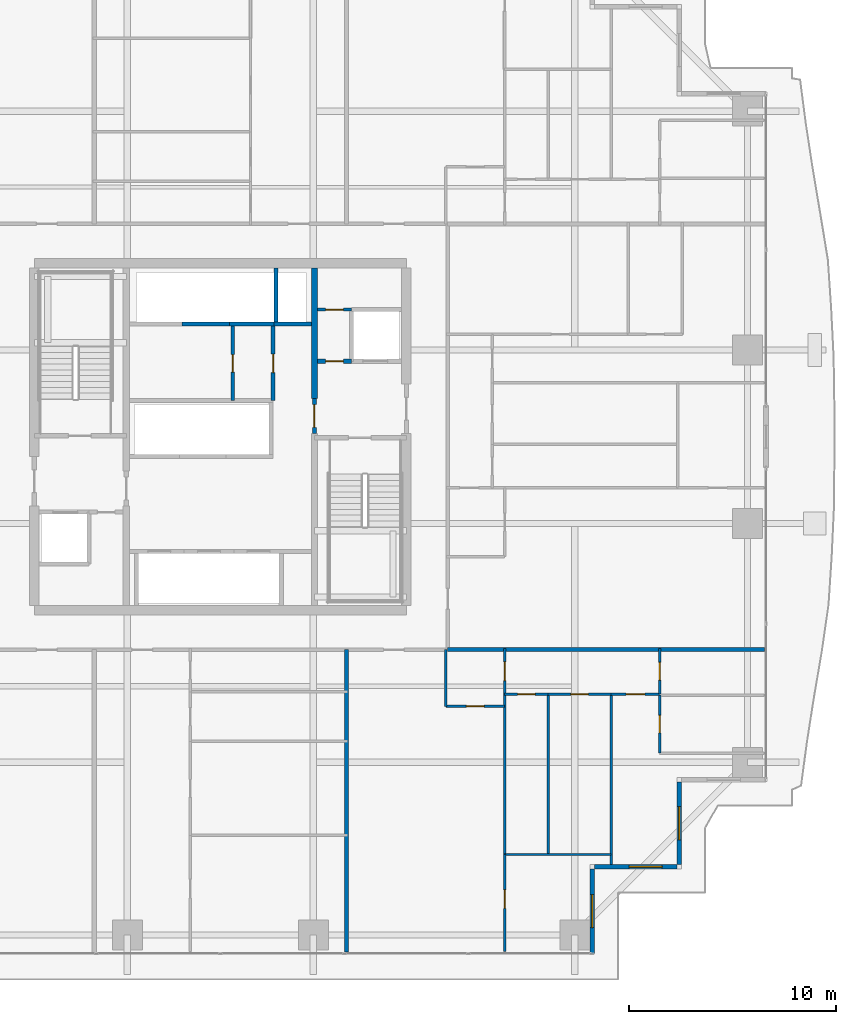
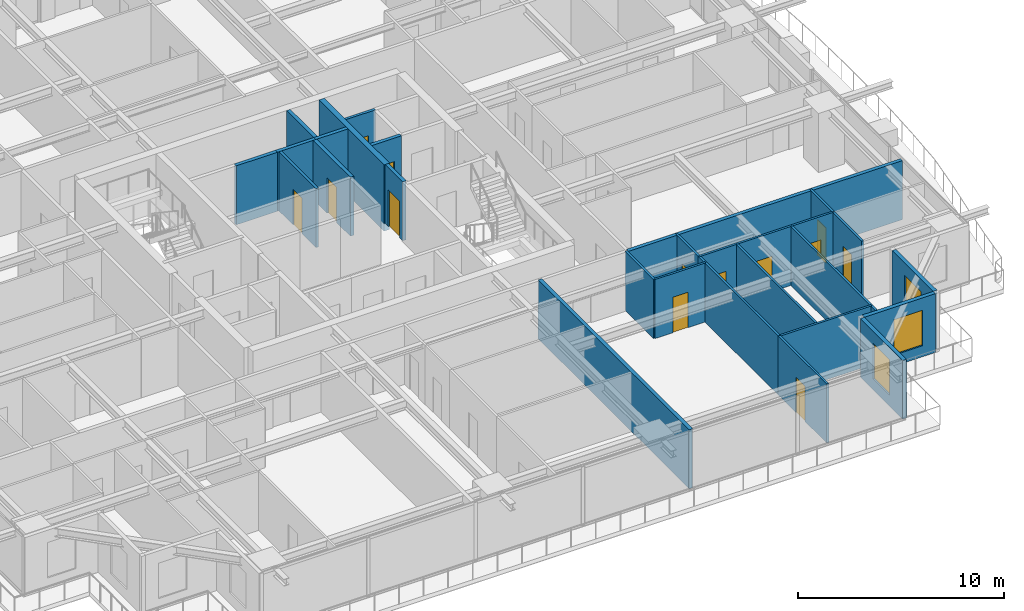
# One storey, part 28 of 37: 28 walls, 13 doors, 3 windows, 16 openings.
"""IFC4 building model written with IfcOpenShell, lengths in metres."""

from ifc_helpers import new_model, si_unit, direction, frame, frame_2d, origin, place, context, subcontext, project, spatial, rectangle, extrude, source, transform, mapped, material, layer, layer_set, type_object, element, fill, save


model = new_model("IFC4")

# Units and contexts
model_context = context("Model", 3, precision=1e-05, world=origin(), true_north=direction((0.0, 1.0)))
body_context = subcontext(model_context, "Body", "Model", "MODEL_VIEW")
ifc_project = project(units=[si_unit("LENGTHUNIT", "METRE"), si_unit("AREAUNIT", "SQUARE_METRE"), si_unit("VOLUMEUNIT", "CUBIC_METRE"), si_unit("PLANEANGLEUNIT", "RADIAN"), si_unit("MASSUNIT", "GRAM", prefix="KILO")], contexts=[model_context])

# Site, building, storey
site_placement = place(None, origin())
site = spatial("IfcSite", under=ifc_project, at=site_placement, CompositionType="ELEMENT")
building_placement = place(site_placement, origin())
building = spatial("IfcBuilding", under=site, at=building_placement, Name="Serunith Strait Residences", CompositionType="ELEMENT")
storey_placement = place(building_placement, frame((0.0, 0.0, 26.699951171875)))
storey = spatial("IfcBuildingStorey", under=building, at=storey_placement, Name="L05", CompositionType="ELEMENT", Elevation=26.699951171875)

# Wall, opening, window
ifc_material_1 = material(Name="Pale-Champagne Aluminium Insulated Panel", Category="aluminium")
ifc_layer_1 = layer(ifc_material_1, 0.219970703125, Name="Pale-Champagne Aluminium Insulated Panel")
ifc_layer_set_1 = layer_set([ifc_layer_1], Name="Pale-Champagne Aluminium Insulated Panel")
wall_type_1 = type_object("IfcWallType", Name="EW-ALUM-220", PredefinedType="ELEMENTEDWALL", material=ifc_layer_set_1)
wall_1_placement = place(storey_placement, frame((50.39990234375, 0.199951171875, 0.0), z_axis=(0.0, 0.0, 1.0), x_axis=(0.0, 1.0, 0.0)))
wall_1 = element("IfcWall", 1, at=wall_1_placement, inside=storey, type_object=wall_type_1, Name="L05 Girih Serrated Corner Wall 02", PredefinedType="ELEMENTEDWALL", context=body_context, shape_type="SweptSolid", body=[
    extrude(rectangle(XDim=4.090087890625, YDim=0.219970703125, at=frame_2d((2.044921875, 0.0))), origin(), (0.0, 0.0, 1.0), 3.47509765625),
])
opening_1_placement = place(wall_1_placement, frame((1.2451171875, 0.0, 0.64990234375)))
opening_1 = element("IfcOpeningElement", 2, at=opening_1_placement, cuts=wall_1, Name="Opening W-02", PredefinedType="OPENING", context=body_context, shape_type="SweptSolid", body=[
    extrude(rectangle(XDim=1.60009765625, YDim=2.10009765625, at=frame_2d((0.800048828125, 1.050048828125))), frame((0.0, 0.1201171875, 0.0), z_axis=(0.0, -1.0, 0.0), x_axis=(1.0, 0.0, 0.0)), (0.0, 0.0, 1.0), 0.239990234375),
])
ifc_material_2 = material(Name="Ceramic-Fritted Operable Aluminium Window Glass", Category="aluminium")
window_type = type_object("IfcWindowType", Name="WIN-C2", PartitioningType="DOUBLE_PANEL_VERTICAL", PredefinedType="WINDOW", material=ifc_material_2)
shared_shape_1 = source(origin(), body_context, "Body", "SweptSolid", [
    extrude(rectangle(XDim=1.60009765625, YDim=2.10009765625, at=frame_2d((0.800048828125, 1.050048828125))), frame((0.0, 0.030029296875, 0.0), z_axis=(0.0, -1.0, 0.0), x_axis=(1.0, 0.0, 0.0)), (0.0, 0.0, 1.0), 0.06005859375),
])
window_1_placement = place(opening_1_placement, origin())
window_1 = element("IfcWindow", 3, at=window_1_placement, inside=storey, type_object=window_type, Name="L05 Corner Operable Fritted Window 02", OverallHeight=2.10009765625, OverallWidth=1.60009765625, PartitioningType="SINGLE_PANEL", PredefinedType="WINDOW", context=body_context, shape_type="MappedRepresentation", body=[
    mapped(shared_shape_1, transform((0.0, 0.0, 0.0), scale=1.0)),
])
fill(opening_1, window_1)

wall_2_placement = place(storey_placement, frame((50.510009765625, 4.39990234375, 0.0), z_axis=(0.0, 0.0, 1.0), x_axis=(1.0, 0.0, 0.0)))
wall_2 = element("IfcWall", 4, at=wall_2_placement, inside=storey, type_object=wall_type_1, Name="L05 Girih Serrated Corner Wall 03", PredefinedType="ELEMENTEDWALL", context=body_context, shape_type="SweptSolid", body=[
    extrude(rectangle(XDim=3.97998046875, YDim=0.219970703125, at=frame_2d((1.989990234375, 0.0))), origin(), (0.0, 0.0, 1.0), 3.47509765625),
])
opening_2_placement = place(wall_2_placement, frame((1.666015625, 0.0, 0.64990234375)))
opening_2 = element("IfcOpeningElement", 5, at=opening_2_placement, cuts=wall_2, Name="Opening W-02", PredefinedType="OPENING", context=body_context, shape_type="SweptSolid", body=[
    extrude(rectangle(XDim=1.60009765625, YDim=2.10009765625, at=frame_2d((0.800048828125, 1.050048828125))), frame((0.0, 0.1201171875, 0.0), z_axis=(0.0, -1.0, 0.0), x_axis=(1.0, 0.0, 0.0)), (0.0, 0.0, 1.0), 0.239990234375),
])
window_2_placement = place(opening_2_placement, origin())
window_2 = element("IfcWindow", 6, at=window_2_placement, inside=storey, type_object=window_type, Name="L05 Corner Operable Fritted Window 03", OverallHeight=2.10009765625, OverallWidth=1.60009765625, PartitioningType="SINGLE_PANEL", PredefinedType="WINDOW", context=body_context, shape_type="MappedRepresentation", body=[
    mapped(shared_shape_1, transform((0.0, 0.0, 0.0), scale=1.0)),
])
fill(opening_2, window_2)

wall_3_placement = place(storey_placement, frame((54.60009765625, 4.510009765625, 0.0), z_axis=(0.0, 0.0, 1.0), x_axis=(0.0, 1.0, 0.0)))
wall_3 = element("IfcWall", 7, at=wall_3_placement, inside=storey, type_object=wall_type_1, Name="L05 Girih Serrated Corner Wall 04", PredefinedType="ELEMENTEDWALL", context=body_context, shape_type="SweptSolid", body=[
    extrude(rectangle(XDim=3.97998046875, YDim=0.219970703125, at=frame_2d((1.989990234375, 0.0))), origin(), (0.0, 0.0, 1.0), 3.47509765625),
])
opening_3_placement = place(wall_3_placement, frame((1.18994140625, 0.0, 0.64990234375)))
opening_3 = element("IfcOpeningElement", 8, at=opening_3_placement, cuts=wall_3, Name="Opening W-02", PredefinedType="OPENING", context=body_context, shape_type="SweptSolid", body=[
    extrude(rectangle(XDim=1.60009765625, YDim=2.10009765625, at=frame_2d((0.800048828125, 1.050048828125))), frame((0.0, 0.1201171875, 0.0), z_axis=(0.0, -1.0, 0.0), x_axis=(1.0, 0.0, 0.0)), (0.0, 0.0, 1.0), 0.239990234375),
])
window_3_placement = place(opening_3_placement, origin())
window_3 = element("IfcWindow", 9, at=window_3_placement, inside=storey, type_object=window_type, Name="L05 Corner Operable Fritted Window 04", OverallHeight=2.10009765625, OverallWidth=1.60009765625, PartitioningType="SINGLE_PANEL", PredefinedType="WINDOW", context=body_context, shape_type="MappedRepresentation", body=[
    mapped(shared_shape_1, transform((0.0, 0.0, 0.0), scale=1.0)),
])
fill(opening_3, window_3)

# Wall, opening, door
ifc_material_3 = material(Name="Fire-rated masonry service closet wall", Category="masonry")
ifc_layer_2 = layer(ifc_material_3, 0.14990234375, Name="Fire-rated masonry service closet wall")
ifc_layer_set_2 = layer_set([ifc_layer_2], Name="Fire-rated masonry service closet wall")
wall_type_2 = type_object("IfcWallType", Name="IW-BOH-150", PredefinedType="PARTITIONING", material=ifc_layer_set_2)
wall_4_placement = place(storey_placement, frame((37.10009765625, 31.35009765625, 0.0), z_axis=(0.0, 0.0, 1.0), x_axis=(1.0, 0.0, 0.0)))
wall_4 = element("IfcWall", 10, at=wall_4_placement, inside=storey, type_object=wall_type_2, Name="L05 Partition Wall 012", PredefinedType="PARTITIONING", context=body_context, shape_type="SweptSolid", body=[
    extrude(rectangle(XDim=1.64794921875, YDim=0.14990234375, at=frame_2d((0.823974609375, 0.0))), origin(), (0.0, 0.0, 1.0), 3.489990234375),
])
opening_4_placement = place(wall_4_placement, frame((0.39892578125, 0.0, 0.0)))
opening_4 = element("IfcOpeningElement", 11, at=opening_4_placement, cuts=wall_4, Name="Opening FD-850", PredefinedType="OPENING", context=body_context, shape_type="SweptSolid", body=[
    extrude(rectangle(XDim=0.85009765625, YDim=2.10009765625, at=frame_2d((0.425048828125, 1.050048828125))), frame((0.0, 0.0849609375, 0.0), z_axis=(0.0, -1.0, 0.0), x_axis=(1.0, 0.0, 0.0)), (0.0, 0.0, 1.0), 0.169921875),
])
ifc_material_4 = material(Name="Powder-coated steel service closet door", Category="steel")
door_type_1 = type_object("IfcDoorType", Name="FD-BOH-850", OperationType="NOTDEFINED", PredefinedType="DOOR", material=ifc_material_4)
shared_shape_2 = source(origin(), body_context, "Body", "SweptSolid", [
    extrude(rectangle(XDim=0.85009765625, YDim=2.10009765625, at=frame_2d((0.425048828125, 1.050048828125))), frame((0.0, 0.02490234375, 0.0), z_axis=(0.0, -1.0, 0.0), x_axis=(1.0, 0.0, 0.0)), (0.0, 0.0, 1.0), 0.050048828125),
])
door_1_placement = place(opening_4_placement, origin())
door_1 = element("IfcDoor", 12, at=door_1_placement, inside=storey, type_object=door_type_1, Name="L05 Spare Parts Store Door", OperationType="SINGLE_SWING_RIGHT", OverallHeight=2.10009765625, OverallWidth=0.85009765625, PredefinedType="DOOR", context=body_context, shape_type="MappedRepresentation", body=[
    mapped(shared_shape_2, transform((0.0, 0.0, 0.0), scale=1.0)),
])
fill(opening_4, door_1)

wall_5_placement = place(storey_placement, frame((33.0, 26.949951171875, 0.0), z_axis=(0.0, 0.0, 1.0), x_axis=(0.0, 1.0, 0.0)))
wall_5 = element("IfcWall", 13, at=wall_5_placement, inside=storey, type_object=wall_type_2, Name="L05 Partition Wall 014", PredefinedType="PARTITIONING", context=body_context, shape_type="SweptSolid", body=[
    extrude(rectangle(XDim=3.60009765625, YDim=0.14990234375, at=frame_2d((1.800048828125, 0.0))), origin(), (0.0, 0.0, 1.0), 3.489990234375),
])
opening_5_placement = place(wall_5_placement, frame((1.375, 0.0, 0.0)))
opening_5 = element("IfcOpeningElement", 14, at=opening_5_placement, cuts=wall_5, Name="Opening FD-850", PredefinedType="OPENING", context=body_context, shape_type="SweptSolid", body=[
    extrude(rectangle(XDim=0.85009765625, YDim=2.10009765625, at=frame_2d((0.425048828125, 1.050048828125))), frame((0.0, 0.0849609375, 0.0), z_axis=(0.0, -1.0, 0.0), x_axis=(1.0, 0.0, 0.0)), (0.0, 0.0, 1.0), 0.169921875),
])
door_2_placement = place(opening_5_placement, origin())
door_2 = element("IfcDoor", 15, at=door_2_placement, inside=storey, type_object=door_type_1, Name="L05 LV Switchgear Door", OperationType="SINGLE_SWING_RIGHT", OverallHeight=2.10009765625, OverallWidth=0.85009765625, PredefinedType="DOOR", context=body_context, shape_type="MappedRepresentation", body=[
    mapped(shared_shape_2, transform((0.0, 0.0, 0.0), scale=1.0)),
])
fill(opening_5, door_2)

ifc_material_5 = material(Name="Lightweight steel-stud gypsum partition", Category="steel")
ifc_layer_3 = layer(ifc_material_5, 0.1201171875, Name="Lightweight steel-stud gypsum partition")
ifc_layer_set_3 = layer_set([ifc_layer_3], Name="Lightweight steel-stud gypsum partition")
wall_type_3 = type_object("IfcWallType", Name="IW-PART-120", PredefinedType="PARTITIONING", material=ifc_layer_set_3)
wall_6_placement = place(storey_placement, frame((43.31005859375, 12.14990234375, 0.0), z_axis=(0.0, 0.0, 1.0), x_axis=(1.0, 0.0, 0.0)))
wall_6 = element("IfcWall", 16, at=wall_6_placement, inside=storey, type_object=wall_type_3, Name="L05 Partition Wall 049", PredefinedType="PARTITIONING", context=body_context, shape_type="SweptSolid", body=[
    extrude(rectangle(XDim=2.849853515625, YDim=0.1201171875, at=frame_2d((1.4248046875, 0.0))), origin(), (0.0, 0.0, 1.0), 3.489990234375),
])
opening_6_placement = place(wall_6_placement, frame((1.0, 0.0, 0.0)))
opening_6 = element("IfcOpeningElement", 17, at=opening_6_placement, cuts=wall_6, Name="Opening D-RM850", PredefinedType="OPENING", context=body_context, shape_type="SweptSolid", body=[
    extrude(rectangle(XDim=0.85009765625, YDim=2.10009765625, at=frame_2d((0.425048828125, 1.050048828125))), frame((0.0, 0.070068359375, 0.0), z_axis=(0.0, -1.0, 0.0), x_axis=(1.0, 0.0, 0.0)), (0.0, 0.0, 1.0), 0.14013671875),
])
ifc_material_6 = material(Name="Engineered timber flush study and kitchen door", Category="wood")
door_type_2 = type_object("IfcDoorType", Name="ID-ROOM-850", OperationType="NOTDEFINED", PredefinedType="DOOR", material=ifc_material_6)
door_3_placement = place(opening_6_placement, origin())
door_3 = element("IfcDoor", 18, at=door_3_placement, inside=storey, type_object=door_type_2, Name="L05 Kitchen 0503 Door", OperationType="SINGLE_SWING_LEFT", OverallHeight=2.10009765625, OverallWidth=0.85009765625, PredefinedType="DOOR", context=body_context, shape_type="MappedRepresentation", body=[
    mapped(shared_shape_2, transform((0.0, 0.0, 0.0), scale=1.0)),
])
fill(opening_6, door_3)

# Wall
wall_7_placement = place(storey_placement, frame((43.31005859375, 12.14990234375, 0.0), z_axis=(0.0, 0.0, 1.0), x_axis=(0.0, 1.0, 0.0)))
element("IfcWall", 19, at=wall_7_placement, inside=storey, type_object=wall_type_3, Name="L05 Partition Wall 050", PredefinedType="PARTITIONING", context=body_context, shape_type="SweptSolid", body=[
    extrude(rectangle(XDim=2.748046875, YDim=0.1201171875, at=frame_2d((1.3740234375, 0.0))), origin(), (0.0, 0.0, 1.0), 3.489990234375),
])

# Wall, opening, door
wall_8_placement = place(storey_placement, frame((46.159912109375, 12.75, 0.0), z_axis=(0.0, 0.0, 1.0), x_axis=(0.0, 1.0, 0.0)))
wall_8 = element("IfcWall", 20, at=wall_8_placement, inside=storey, type_object=wall_type_3, Name="L05 Partition Wall 051", PredefinedType="PARTITIONING", context=body_context, shape_type="SweptSolid", body=[
    extrude(rectangle(XDim=2.2099609375, YDim=0.1201171875, at=frame_2d((1.10498046875, 0.0))), origin(), (0.0, 0.0, 1.0), 3.489990234375),
])
opening_7_placement = place(wall_8_placement, frame((0.655029296875, 0.0, 0.0)))
opening_7 = element("IfcOpeningElement", 21, at=opening_7_placement, cuts=wall_8, Name="Opening D-RM900", PredefinedType="OPENING", context=body_context, shape_type="SweptSolid", body=[
    extrude(rectangle(XDim=0.89990234375, YDim=2.10009765625, at=frame_2d((0.449951171875, 1.050048828125))), frame((0.0, 0.070068359375, 0.0), z_axis=(0.0, -1.0, 0.0), x_axis=(1.0, 0.0, 0.0)), (0.0, 0.0, 1.0), 0.14013671875),
])
ifc_material_7 = material(Name="Engineered timber flush bedroom door", Category="wood")
door_type_3 = type_object("IfcDoorType", Name="ID-ROOM-900", OperationType="NOTDEFINED", PredefinedType="DOOR", material=ifc_material_7)
shared_shape_3 = source(origin(), body_context, "Body", "SweptSolid", [
    extrude(rectangle(XDim=0.89990234375, YDim=2.10009765625, at=frame_2d((0.449951171875, 1.050048828125))), frame((0.0, 0.02490234375, 0.0), z_axis=(0.0, -1.0, 0.0), x_axis=(1.0, 0.0, 0.0)), (0.0, 0.0, 1.0), 0.050048828125),
])
door_4_placement = place(opening_7_placement, origin())
door_4 = element("IfcDoor", 22, at=door_4_placement, inside=storey, type_object=door_type_3, Name="L05 Hall E 0503 Door", OperationType="SINGLE_SWING_RIGHT", OverallHeight=2.10009765625, OverallWidth=0.89990234375, PredefinedType="DOOR", context=body_context, shape_type="MappedRepresentation", body=[
    mapped(shared_shape_3, transform((0.0, 0.0, 0.0), scale=1.0)),
])
fill(opening_7, door_4)

wall_9_placement = place(storey_placement, frame((46.159912109375, 0.294921875, 0.0), z_axis=(0.0, 0.0, 1.0), x_axis=(0.0, 1.0, 0.0)))
wall_9 = element("IfcWall", 23, at=wall_9_placement, inside=storey, type_object=wall_type_3, Name="L05 Partition Wall 052", PredefinedType="PARTITIONING", context=body_context, shape_type="SweptSolid", body=[
    extrude(rectangle(XDim=4.693115234375, YDim=0.1201171875, at=frame_2d((2.3466796875, 0.0))), origin(), (0.0, 0.0, 1.0), 3.489990234375),
])
opening_8_placement = place(wall_9_placement, frame((2.0859375, 0.0, 0.0)))
opening_8 = element("IfcOpeningElement", 24, at=opening_8_placement, cuts=wall_9, Name="Opening D-RM900", PredefinedType="OPENING", context=body_context, shape_type="SweptSolid", body=[
    extrude(rectangle(XDim=0.89990234375, YDim=2.10009765625, at=frame_2d((0.449951171875, 1.050048828125))), frame((0.0, 0.070068359375, 0.0), z_axis=(0.0, -1.0, 0.0), x_axis=(1.0, 0.0, 0.0)), (0.0, 0.0, 1.0), 0.14013671875),
])
door_5_placement = place(opening_8_placement, origin())
door_5 = element("IfcDoor", 25, at=door_5_placement, inside=storey, type_object=door_type_3, Name="L05 Study 1 0503 Door", OperationType="SINGLE_SWING_LEFT", OverallHeight=2.10009765625, OverallWidth=0.89990234375, PredefinedType="DOOR", context=body_context, shape_type="MappedRepresentation", body=[
    mapped(shared_shape_3, transform((0.0, 0.0, 0.0), scale=1.0)),
])
fill(opening_8, door_5)

# Walls
wall_10_placement = place(storey_placement, frame((46.159912109375, 4.989990234375, 0.0), z_axis=(0.0, 0.0, 1.0), x_axis=(0.0, 1.0, 0.0)))
element("IfcWall", 26, at=wall_10_placement, inside=storey, type_object=wall_type_3, Name="L05 Partition Wall 053", PredefinedType="PARTITIONING", context=body_context, shape_type="SweptSolid", body=[
    extrude(rectangle(XDim=7.758056640625, YDim=0.1201171875, at=frame_2d((3.87890625, 0.0))), origin(), (0.0, 0.0, 1.0), 3.489990234375),
])
wall_11_placement = place(storey_placement, frame((46.159912109375, 4.988037109375, 0.0), z_axis=(0.0, 0.0, 1.0), x_axis=(1.0, 0.0, 0.0)))
element("IfcWall", 27, at=wall_11_placement, inside=storey, type_object=wall_type_3, Name="L05 Partition Wall 054", PredefinedType="PARTITIONING", context=body_context, shape_type="SweptSolid", body=[
    extrude(rectangle(XDim=5.150146484375, YDim=0.1201171875, at=frame_2d((2.5751953125, 0.0))), origin(), (0.0, 0.0, 1.0), 3.489990234375),
])
wall_12_placement = place(storey_placement, frame((51.31005859375, 4.4951171875, 0.0), z_axis=(0.0, 0.0, 1.0), x_axis=(0.0, 1.0, 0.0)))
element("IfcWall", 28, at=wall_12_placement, inside=storey, type_object=wall_type_3, Name="L05 Partition Wall 055", PredefinedType="PARTITIONING", context=body_context, shape_type="SweptSolid", body=[
    extrude(rectangle(XDim=8.2548828125, YDim=0.1201171875, at=frame_2d((4.12744140625, 0.0))), origin(), (0.0, 0.0, 1.0), 3.489990234375),
])
wall_13_placement = place(storey_placement, frame((48.260009765625, 4.988037109375, 0.0), z_axis=(0.0, 0.0, 1.0), x_axis=(0.0, 1.0, 0.0)))
element("IfcWall", 29, at=wall_13_placement, inside=storey, type_object=wall_type_3, Name="L05 Partition Wall 056", PredefinedType="PARTITIONING", context=body_context, shape_type="SweptSolid", body=[
    extrude(rectangle(XDim=7.761962890625, YDim=0.1201171875, at=frame_2d((3.880859375, 0.0))), origin(), (0.0, 0.0, 1.0), 3.489990234375),
])

# Wall, opening, door
wall_14_placement = place(storey_placement, frame((46.159912109375, 12.75, 0.0), z_axis=(0.0, 0.0, 1.0), x_axis=(1.0, 0.0, 0.0)))
wall_14 = element("IfcWall", 30, at=wall_14_placement, inside=storey, type_object=wall_type_3, Name="L05 Partition Wall 057", PredefinedType="PARTITIONING", context=body_context, shape_type="SweptSolid", body=[
    extrude(rectangle(XDim=2.10009765625, YDim=0.1201171875, at=frame_2d((1.050048828125, 0.0))), origin(), (0.0, 0.0, 1.0), 3.489990234375),
])
opening_9_placement = place(wall_14_placement, frame((0.625, 0.0, 0.0)))
opening_9 = element("IfcOpeningElement", 31, at=opening_9_placement, cuts=wall_14, Name="Opening D-BTH850", PredefinedType="OPENING", context=body_context, shape_type="SweptSolid", body=[
    extrude(rectangle(XDim=0.85009765625, YDim=2.10009765625, at=frame_2d((0.425048828125, 1.050048828125))), frame((0.0, 0.070068359375, 0.0), z_axis=(0.0, -1.0, 0.0), x_axis=(1.0, 0.0, 0.0)), (0.0, 0.0, 1.0), 0.14013671875),
])
ifc_material_8 = material(Name="Moisture-resistant timber bathroom door", Category="wood")
door_type_4 = type_object("IfcDoorType", Name="ID-BATH-850", OperationType="NOTDEFINED", PredefinedType="DOOR", material=ifc_material_8)
door_6_placement = place(opening_9_placement, origin())
door_6 = element("IfcDoor", 32, at=door_6_placement, inside=storey, type_object=door_type_4, Name="L05 Bathroom 0503 Door", OperationType="SINGLE_SWING_RIGHT", OverallHeight=2.10009765625, OverallWidth=0.85009765625, PredefinedType="DOOR", context=body_context, shape_type="MappedRepresentation", body=[
    mapped(shared_shape_2, transform((0.0, 0.0, 0.0), scale=1.0)),
])
fill(opening_9, door_6)

wall_15_placement = place(storey_placement, frame((48.261962890625, 12.75, 0.0), z_axis=(0.0, 0.0, 1.0), x_axis=(1.0, 0.0, 0.0)))
wall_15 = element("IfcWall", 33, at=wall_15_placement, inside=storey, type_object=wall_type_3, Name="L05 Partition Wall 058", PredefinedType="PARTITIONING", context=body_context, shape_type="SweptSolid", body=[
    extrude(rectangle(XDim=3.048095703125, YDim=0.1201171875, at=frame_2d((1.52392578125, 0.0))), origin(), (0.0, 0.0, 1.0), 3.489990234375),
])
opening_10_placement = place(wall_15_placement, frame((1.09912109375, 0.0, 0.0)))
opening_10 = element("IfcOpeningElement", 34, at=opening_10_placement, cuts=wall_15, Name="Opening D-RM850", PredefinedType="OPENING", context=body_context, shape_type="SweptSolid", body=[
    extrude(rectangle(XDim=0.85009765625, YDim=2.10009765625, at=frame_2d((0.425048828125, 1.050048828125))), frame((0.0, 0.070068359375, 0.0), z_axis=(0.0, -1.0, 0.0), x_axis=(1.0, 0.0, 0.0)), (0.0, 0.0, 1.0), 0.14013671875),
])
door_7_placement = place(opening_10_placement, origin())
door_7 = element("IfcDoor", 35, at=door_7_placement, inside=storey, type_object=door_type_2, Name="L05 Study 0503 Door", OperationType="SINGLE_SWING_LEFT", OverallHeight=2.10009765625, OverallWidth=0.85009765625, PredefinedType="DOOR", context=body_context, shape_type="MappedRepresentation", body=[
    mapped(shared_shape_2, transform((0.0, 0.0, 0.0), scale=1.0)),
])
fill(opening_10, door_7)

wall_16_placement = place(storey_placement, frame((51.31201171875, 12.75, 0.0), z_axis=(0.0, 0.0, 1.0), x_axis=(1.0, 0.0, 0.0)))
wall_16 = element("IfcWall", 36, at=wall_16_placement, inside=storey, type_object=wall_type_3, Name="L05 Partition Wall 059", PredefinedType="PARTITIONING", context=body_context, shape_type="SweptSolid", body=[
    extrude(rectangle(XDim=2.347900390625, YDim=0.1201171875, at=frame_2d((1.173828125, 0.0))), origin(), (0.0, 0.0, 1.0), 3.489990234375),
])
opening_11_placement = place(wall_16_placement, frame((0.72412109375, 0.0, 0.0)))
opening_11 = element("IfcOpeningElement", 37, at=opening_11_placement, cuts=wall_16, Name="Opening D-RM900", PredefinedType="OPENING", context=body_context, shape_type="SweptSolid", body=[
    extrude(rectangle(XDim=0.89990234375, YDim=2.10009765625, at=frame_2d((0.449951171875, 1.050048828125))), frame((0.0, 0.070068359375, 0.0), z_axis=(0.0, -1.0, 0.0), x_axis=(1.0, 0.0, 0.0)), (0.0, 0.0, 1.0), 0.14013671875),
])
door_8_placement = place(opening_11_placement, origin())
door_8 = element("IfcDoor", 38, at=door_8_placement, inside=storey, type_object=door_type_3, Name="L05 Master Bedroom E 0503 Door", OperationType="SINGLE_SWING_RIGHT", OverallHeight=2.10009765625, OverallWidth=0.89990234375, PredefinedType="DOOR", context=body_context, shape_type="MappedRepresentation", body=[
    mapped(shared_shape_3, transform((0.0, 0.0, 0.0), scale=1.0)),
])
fill(opening_11, door_8)

wall_17_placement = place(storey_placement, frame((53.659912109375, 9.89404296875, 0.0), z_axis=(0.0, 0.0, 1.0), x_axis=(0.0, 1.0, 0.0)))
wall_17 = element("IfcWall", 39, at=wall_17_placement, inside=storey, type_object=wall_type_3, Name="L05 Partition Wall 062", PredefinedType="PARTITIONING", context=body_context, shape_type="SweptSolid", body=[
    extrude(rectangle(XDim=2.807861328125, YDim=0.1201171875, at=frame_2d((1.40380859375, 0.0))), origin(), (0.0, 0.0, 1.0), 3.489990234375),
])
opening_12_placement = place(wall_17_placement, frame((0.97900390625, 0.0, 0.0)))
opening_12 = element("IfcOpeningElement", 40, at=opening_12_placement, cuts=wall_17, Name="Opening D-BTH850", PredefinedType="OPENING", context=body_context, shape_type="SweptSolid", body=[
    extrude(rectangle(XDim=0.85009765625, YDim=2.10009765625, at=frame_2d((0.425048828125, 1.050048828125))), frame((0.0, 0.070068359375, 0.0), z_axis=(0.0, -1.0, 0.0), x_axis=(1.0, 0.0, 0.0)), (0.0, 0.0, 1.0), 0.14013671875),
])
door_9_placement = place(opening_12_placement, origin())
door_9 = element("IfcDoor", 41, at=door_9_placement, inside=storey, type_object=door_type_4, Name="L05 En-suite Bathroom E 0503 Door", OperationType="SINGLE_SWING_LEFT", OverallHeight=2.10009765625, OverallWidth=0.85009765625, PredefinedType="DOOR", context=body_context, shape_type="MappedRepresentation", body=[
    mapped(shared_shape_2, transform((0.0, 0.0, 0.0), scale=1.0)),
])
fill(opening_12, door_9)

wall_18_placement = place(storey_placement, frame((53.659912109375, 12.75, 0.0), z_axis=(0.0, 0.0, 1.0), x_axis=(0.0, 1.0, 0.0)))
wall_18 = element("IfcWall", 42, at=wall_18_placement, inside=storey, type_object=wall_type_3, Name="L05 Partition Wall 063", PredefinedType="PARTITIONING", context=body_context, shape_type="SweptSolid", body=[
    extrude(rectangle(XDim=2.2099609375, YDim=0.1201171875, at=frame_2d((1.10498046875, 0.0))), origin(), (0.0, 0.0, 1.0), 3.489990234375),
])
opening_13_placement = place(wall_18_placement, frame((0.679931640625, 0.0, 0.0)))
opening_13 = element("IfcOpeningElement", 43, at=opening_13_placement, cuts=wall_18, Name="Opening D-RM850", PredefinedType="OPENING", context=body_context, shape_type="SweptSolid", body=[
    extrude(rectangle(XDim=0.85009765625, YDim=2.10009765625, at=frame_2d((0.425048828125, 1.050048828125))), frame((0.0, 0.070068359375, 0.0), z_axis=(0.0, -1.0, 0.0), x_axis=(1.0, 0.0, 0.0)), (0.0, 0.0, 1.0), 0.14013671875),
])
door_10_placement = place(opening_13_placement, origin())
door_10 = element("IfcDoor", 44, at=door_10_placement, inside=storey, type_object=door_type_2, Name="L05 Wardrobe E 0503 Door", OperationType="SINGLE_SWING_RIGHT", OverallHeight=2.10009765625, OverallWidth=0.85009765625, PredefinedType="DOOR", context=body_context, shape_type="MappedRepresentation", body=[
    mapped(shared_shape_2, transform((0.0, 0.0, 0.0), scale=1.0)),
])
fill(opening_13, door_10)

# Walls
ifc_material_9 = material(Name="Twin-stud acoustic gypsum board partition")
ifc_layer_4 = layer(ifc_material_9, 0.199951171875, Name="Twin-stud acoustic gypsum board partition")
ifc_layer_set_4 = layer_set([ifc_layer_4], Name="Twin-stud acoustic gypsum board partition")
wall_type_4 = type_object("IfcWallType", Name="IW-PARTY-200", PredefinedType="PARTITIONING", material=ifc_layer_set_4)
wall_19_placement = place(storey_placement, frame((38.5, 0.281982421875, 0.0), z_axis=(0.0, 0.0, 1.0), x_axis=(0.0, 1.0, 0.0)))
element("IfcWall", 45, at=wall_19_placement, inside=storey, type_object=wall_type_4, Name="L05 Partition Wall 016", PredefinedType="PARTITIONING", context=body_context, shape_type="SweptSolid", body=[
    extrude(rectangle(XDim=14.617919921875, YDim=0.199951171875, at=frame_2d((7.30908203125, 0.0))), origin(), (0.0, 0.0, 1.0), 3.489990234375),
])
wall_20_placement = place(storey_placement, frame((43.39990234375, 14.89990234375, 0.0), z_axis=(0.0, 0.0, 1.0), x_axis=(1.0, 0.0, 0.0)))
element("IfcWall", 46, at=wall_20_placement, inside=storey, type_object=wall_type_4, Name="L05 Partition Wall 020", PredefinedType="PARTITIONING", context=body_context, shape_type="SweptSolid", body=[
    extrude(rectangle(XDim=15.318115234375, YDim=0.199951171875, at=frame_2d((7.6591796875, 0.0))), origin(), (0.0, 0.0, 1.0), 3.489990234375),
])
ifc_material_10 = material(Name="Autoclaved aerated concrete blockwork", Category="masonry")
ifc_layer_5 = layer(ifc_material_10, 0.199951171875, Name="Autoclaved aerated concrete blockwork")
ifc_layer_set_5 = layer_set([ifc_layer_5], Name="Autoclaved aerated concrete blockwork")
wall_type_5 = type_object("IfcWallType", Name="IW-SHAFT-200", PredefinedType="STANDARD", material=ifc_layer_set_5)
wall_21_placement = place(storey_placement, frame((30.550048828125, 30.64990234375, 0.0), z_axis=(0.0, 0.0, 1.0), x_axis=(1.0, 0.0, 0.0)))
element("IfcWall", 47, at=wall_21_placement, inside=storey, type_object=wall_type_5, Name="L05 PL-8 South Shaft Wall", PredefinedType="STANDARD", context=body_context, shape_type="SweptSolid", body=[
    extrude(rectangle(XDim=2.300048828125, YDim=0.199951171875, at=frame_2d((1.14990234375, 0.0))), origin(), (0.0, 0.0, 1.0), 3.489990234375),
])
wall_22_placement = place(storey_placement, frame((32.85009765625, 30.64990234375, 0.0), z_axis=(0.0, 0.0, 1.0), x_axis=(1.0, 0.0, 0.0)))
element("IfcWall", 48, at=wall_22_placement, inside=storey, type_object=wall_type_5, Name="L05 PL-9 South Shaft Wall", PredefinedType="STANDARD", context=body_context, shape_type="SweptSolid", body=[
    extrude(rectangle(XDim=2.14990234375, YDim=0.199951171875, at=frame_2d((1.074951171875, 0.0))), origin(), (0.0, 0.0, 1.0), 3.489990234375),
])
wall_23_placement = place(storey_placement, frame((35.0, 30.64990234375, 0.0), z_axis=(0.0, 0.0, 1.0), x_axis=(1.0, 0.0, 0.0)))
element("IfcWall", 49, at=wall_23_placement, inside=storey, type_object=wall_type_5, Name="L05 SL-1 South Shaft Wall", PredefinedType="STANDARD", context=body_context, shape_type="SweptSolid", body=[
    extrude(rectangle(XDim=1.800048828125, YDim=0.199951171875, at=frame_2d((0.89990234375, 0.0))), origin(), (0.0, 0.0, 1.0), 3.489990234375),
])
wall_24_placement = place(storey_placement, frame((35.10009765625, 30.75, 0.0), z_axis=(0.0, 0.0, 1.0), x_axis=(0.0, 1.0, 0.0)))
element("IfcWall", 50, at=wall_24_placement, inside=storey, type_object=wall_type_5, Name="L05 SL-1 West Shaft Wall", PredefinedType="STANDARD", context=body_context, shape_type="SweptSolid", body=[
    extrude(rectangle(XDim=2.625, YDim=0.199951171875, at=frame_2d((1.3125, 0.0))), origin(), (0.0, 0.0, 1.0), 3.489990234375),
])

# Wall, opening, door
wall_25_placement = place(storey_placement, frame((37.10009765625, 28.85009765625, 0.0), z_axis=(0.0, 0.0, 1.0), x_axis=(1.0, 0.0, 0.0)))
wall_25 = element("IfcWall", 51, at=wall_25_placement, inside=storey, type_object=wall_type_5, Name="L05 Partition Wall 006", PredefinedType="STANDARD", context=body_context, shape_type="SweptSolid", body=[
    extrude(rectangle(XDim=1.64794921875, YDim=0.199951171875, at=frame_2d((0.823974609375, 0.0))), origin(), (0.0, 0.0, 1.0), 3.489990234375),
])
opening_14_placement = place(wall_25_placement, frame((0.39892578125, 0.0, 0.0)))
opening_14 = element("IfcOpeningElement", 52, at=opening_14_placement, cuts=wall_25, Name="Opening FD-850", PredefinedType="OPENING", context=body_context, shape_type="SweptSolid", body=[
    extrude(rectangle(XDim=0.85009765625, YDim=2.10009765625, at=frame_2d((0.425048828125, 1.050048828125))), frame((0.0, 0.10986328125, 0.0), z_axis=(0.0, -1.0, 0.0), x_axis=(1.0, 0.0, 0.0)), (0.0, 0.0, 1.0), 0.219970703125),
])
door_11_placement = place(opening_14_placement, origin())
door_11 = element("IfcDoor", 53, at=door_11_placement, inside=storey, type_object=door_type_1, Name="L05 North-East Core Service Door", OperationType="SINGLE_SWING_LEFT", OverallHeight=2.10009765625, OverallWidth=0.85009765625, PredefinedType="DOOR", context=body_context, shape_type="MappedRepresentation", body=[
    mapped(shared_shape_2, transform((0.0, 0.0, 0.0), scale=1.0)),
])
fill(opening_14, door_11)

wall_26_placement = place(storey_placement, frame((36.949951171875, 25.35205078125, 0.0), z_axis=(0.0, 0.0, 1.0), x_axis=(0.0, 1.0, 0.0)))
wall_26 = element("IfcWall", 54, at=wall_26_placement, inside=storey, type_object=wall_type_5, Name="L05 Partition Wall 010", PredefinedType="STANDARD", context=body_context, shape_type="SweptSolid", body=[
    extrude(rectangle(XDim=1.696044921875, YDim=0.199951171875, at=frame_2d((0.84814453125, 0.0))), origin(), (0.0, 0.0, 1.0), 3.489990234375),
])
opening_15_placement = place(wall_26_placement, frame((0.298095703125, 0.0, 0.0)))
opening_15 = element("IfcOpeningElement", 55, at=opening_15_placement, cuts=wall_26, Name="Opening FD-FFL", PredefinedType="OPENING", context=body_context, shape_type="SweptSolid", body=[
    extrude(rectangle(XDim=1.10009765625, YDim=2.14990234375, at=frame_2d((0.550048828125, 1.074951171875))), frame((0.0, 0.10986328125, 0.0), z_axis=(0.0, -1.0, 0.0), x_axis=(1.0, 0.0, 0.0)), (0.0, 0.0, 1.0), 0.219970703125),
])
ifc_material_11 = material(Name="Glazed steel smoke-lobby fire door", Category="steel")
door_type_5 = type_object("IfcDoorType", Name="FD-FFL-1100", OperationType="NOTDEFINED", PredefinedType="DOOR", material=ifc_material_11)
shared_shape_4 = source(origin(), body_context, "Body", "SweptSolid", [
    extrude(rectangle(XDim=1.10009765625, YDim=2.14990234375, at=frame_2d((0.550048828125, 1.074951171875))), frame((0.0, 0.02490234375, 0.0), z_axis=(0.0, -1.0, 0.0), x_axis=(1.0, 0.0, 0.0)), (0.0, 0.0, 1.0), 0.050048828125),
])
door_12_placement = place(opening_15_placement, origin())
door_12 = element("IfcDoor", 56, at=door_12_placement, inside=storey, type_object=door_type_5, Name="L05 FFL-2 Lift Lobby Door", OperationType="SINGLE_SWING_LEFT", OverallHeight=2.14990234375, OverallWidth=1.10009765625, PredefinedType="DOOR", context=body_context, shape_type="MappedRepresentation", body=[
    mapped(shared_shape_4, transform((0.0, 0.0, 0.0), scale=1.0)),
])
fill(opening_15, door_12)

wall_27_placement = place(storey_placement, frame((34.949951171875, 26.949951171875, 0.0), z_axis=(0.0, 0.0, 1.0), x_axis=(0.0, 1.0, 0.0)))
wall_27 = element("IfcWall", 57, at=wall_27_placement, inside=storey, type_object=wall_type_5, Name="L05 Partition Wall 013", PredefinedType="STANDARD", context=body_context, shape_type="SweptSolid", body=[
    extrude(rectangle(XDim=3.60009765625, YDim=0.199951171875, at=frame_2d((1.800048828125, 0.0))), origin(), (0.0, 0.0, 1.0), 3.489990234375),
])
opening_16_placement = place(wall_27_placement, frame((1.35009765625, 0.0, 0.0)))
opening_16 = element("IfcOpeningElement", 58, at=opening_16_placement, cuts=wall_27, Name="Opening FD-900", PredefinedType="OPENING", context=body_context, shape_type="SweptSolid", body=[
    extrude(rectangle(XDim=0.89990234375, YDim=2.10009765625, at=frame_2d((0.449951171875, 1.050048828125))), frame((0.0, 0.10986328125, 0.0), z_axis=(0.0, -1.0, 0.0), x_axis=(1.0, 0.0, 0.0)), (0.0, 0.0, 1.0), 0.219970703125),
])
ifc_material_12 = material(Name="Powder-coated steel riser door", Category="steel")
door_type_6 = type_object("IfcDoorType", Name="FD-BOH-900", OperationType="NOTDEFINED", PredefinedType="DOOR", material=ifc_material_12)
door_13_placement = place(opening_16_placement, origin())
door_13 = element("IfcDoor", 59, at=door_13_placement, inside=storey, type_object=door_type_6, Name="L05 Meter Plant Door", OperationType="SINGLE_SWING_LEFT", OverallHeight=2.10009765625, OverallWidth=0.89990234375, PredefinedType="DOOR", context=body_context, shape_type="MappedRepresentation", body=[
    mapped(shared_shape_3, transform((0.0, 0.0, 0.0), scale=1.0)),
])
fill(opening_16, door_13)

# Wall
ifc_material_13 = material(Name="Concrete C80/95", Category="concrete")
ifc_layer_6 = layer(ifc_material_13, 0.300048828125, Name="Concrete C80/95")
ifc_layer_set_6 = layer_set([ifc_layer_6], Name="Concrete C80/95")
wall_type_6 = type_object("IfcWallType", Name="SW-300-C80", PredefinedType="SHEAR", material=ifc_layer_set_6)
wall_28_placement = place(storey_placement, frame((36.949951171875, 27.050048828125, -0.43994140625), z_axis=(0.0, 0.0, 1.0), x_axis=(0.0, 1.0, 0.0)))
element("IfcWall", 60, at=wall_28_placement, inside=storey, type_object=wall_type_6, Name="L05 Core Internal East Web North Pier", PredefinedType="SHEAR", context=body_context, shape_type="SweptSolid", body=[
    extrude(rectangle(XDim=6.324951171875, YDim=0.300048828125, at=frame_2d((3.16259765625, 0.0))), origin(), (0.0, 0.0, 1.0), 3.927978515625),
])

save(model, "model.ifc")
